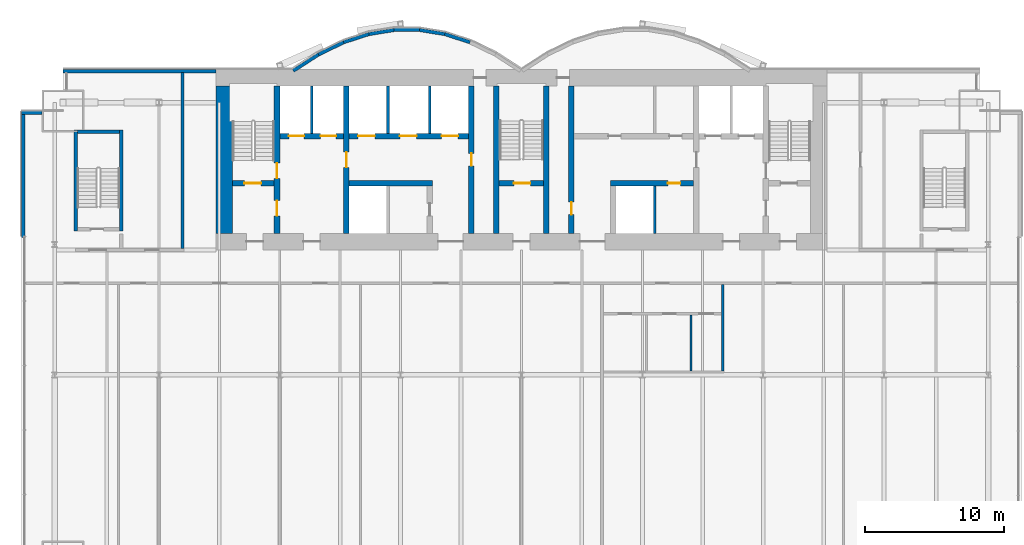
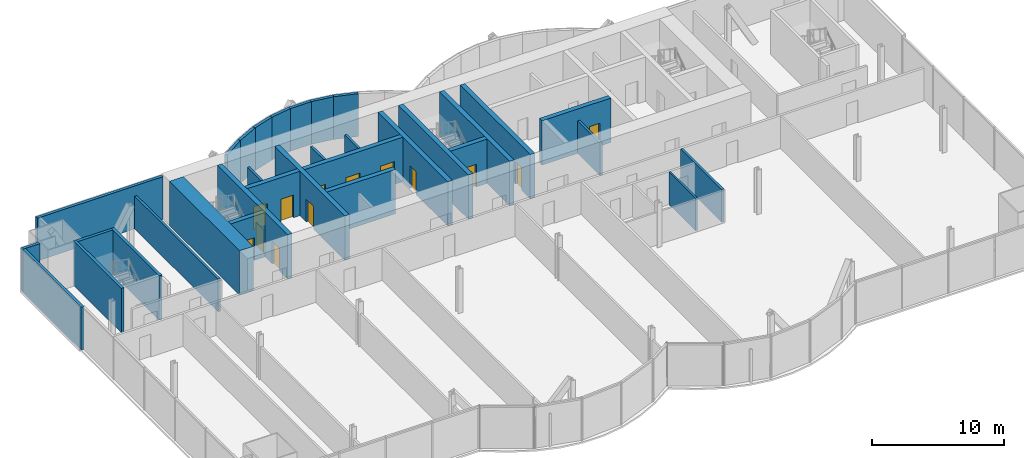
# One storey, part 16 of 21: 32 walls, 13 doors, 13 openings.
"""IFC4 building model written with IfcOpenShell, lengths in metres."""

from ifc_helpers import new_model, si_unit, direction, frame, frame_2d, origin, place, context, subcontext, project, spatial, rectangle, extrude, material, layer, layer_set, layer_usage, type_object, element, fill, save


model = new_model("IFC4")

# Units and contexts
model_context = context("Model", 3, precision=1e-05, world=origin(), true_north=direction((0.0, 1.0)))
body_context = subcontext(model_context, "Body", "Model", "MODEL_VIEW")
ifc_project = project(units=[si_unit("LENGTHUNIT", "METRE"), si_unit("AREAUNIT", "SQUARE_METRE"), si_unit("VOLUMEUNIT", "CUBIC_METRE"), si_unit("PLANEANGLEUNIT", "RADIAN"), si_unit("MASSUNIT", "GRAM", prefix="KILO")], contexts=[model_context])

# Site, building, storey
site_placement = place(None, origin())
site = spatial("IfcSite", under=ifc_project, at=site_placement, CompositionType="ELEMENT")
building_placement = place(site_placement, origin())
building = spatial("IfcBuilding", under=site, at=building_placement, Name="Bicima Exchange Tower", CompositionType="ELEMENT")
storey_placement = place(building_placement, frame((0.0, 0.0, 98.10009765625)))
storey = spatial("IfcBuildingStorey", under=building, at=storey_placement, Name="L20", CompositionType="ELEMENT", Elevation=98.10009765625)

# Walls
ifc_material_1 = material(Name="Gypsum board partition")
ifc_layer_1 = layer(ifc_material_1, 0.199951171875)
ifc_layer_set_1 = layer_set([ifc_layer_1], Name="Gypsum board partition")
wall_type_1 = type_object("IfcWallType", Name="Fire-rated gypsum partition 200 EI120", PredefinedType="PARTITIONING", material=ifc_layer_set_1)
for number, where, z_axis, x_axis, name in (
    (1, (-15.10009765625, -4.60009765625, 0.0), (0.0, 0.0, 1.0), (0.0, 1.0, 0.0), "partition wall 9"),
    (2, (-9.60009765625, -4.60009765625, 0.0), (0.0, 0.0, 1.0), (0.0, 1.0, 0.0), "partition wall 12"),
    (3, (-6.60009765625, -4.60009765625, 0.0), (0.0, 0.0, 1.0), (0.0, 1.0, 0.0), "partition wall 14"),
    (4, (9.60009765625, -11.800048828125, 0.0), (0.0, 0.0, 1.0), (0.0, 1.0, 0.0), "partition wall 20"),
):
    element("IfcWall", number, at=place(storey_placement, frame(where, z_axis=z_axis, x_axis=x_axis)), inside=storey, type_object=wall_type_1, Name=name, PredefinedType="PARTITIONING", context=body_context, shape_type="SweptSolid", body=[
        extrude(rectangle(XDim=3.400146484375, YDim=0.199951171875, at=frame_2d((1.7001953125, 0.0))), origin(), (0.0, 0.0, 1.0), 3.01806640625),
    ])
ifc_layer_2 = layer(ifc_material_1, 0.199951171875)
ifc_layer_set_2 = layer_set([ifc_layer_2], Name="Gypsum board partition")
wall_type_2 = type_object("IfcWallType", Name="Fire-rated gypsum partition 200 EI60", PredefinedType="PARTITIONING", material=ifc_layer_set_2)
wall_1_placement = place(storey_placement, frame((-24.39990234375, -12.89990234375, 0.0), z_axis=(0.0, 0.0, 1.0), x_axis=(0.0, 1.0, 0.0)))
element("IfcWall", 5, at=wall_1_placement, inside=storey, type_object=wall_type_2, Name="partition wall 16", PredefinedType="PARTITIONING", context=body_context, shape_type="SweptSolid", body=[
    extrude(rectangle(XDim=12.68994140625, YDim=0.199951171875, at=frame_2d((6.344970703125, 0.0))), origin(), (0.0, 0.0, 1.0), 3.01806640625),
])
wall_2_placement = place(storey_placement, frame((14.5, -21.72509765625, 0.0), z_axis=(0.0, 0.0, 1.0), x_axis=(0.0, 1.0, 0.0)))
element("IfcWall", 6, at=wall_2_placement, inside=storey, type_object=wall_type_2, Name="partition wall 25", PredefinedType="PARTITIONING", context=body_context, shape_type="SweptSolid", body=[
    extrude(rectangle(XDim=6.22509765625, YDim=0.199951171875, at=frame_2d((3.112548828125, 0.0))), origin(), (0.0, 0.0, 1.0), 3.01806640625),
])
ifc_layer_3 = layer(ifc_material_1, 0.14990234375)
ifc_layer_set_3 = layer_set([ifc_layer_3], Name="Gypsum board partition")
wall_type_3 = type_object("IfcWallType", Name="Gypsum partition 150", PredefinedType="PARTITIONING", material=ifc_layer_set_3)
wall_3_placement = place(storey_placement, frame((12.199951171875, -21.72509765625, 0.0), z_axis=(0.0, 0.0, 1.0), x_axis=(0.0, 1.0, 0.0)))
element("IfcWall", 7, at=wall_3_placement, inside=storey, type_object=wall_type_3, Name="partition wall 24", PredefinedType="PARTITIONING", context=body_context, shape_type="SweptSolid", body=[
    extrude(rectangle(XDim=4.025146484375, YDim=0.14990234375, at=frame_2d((2.0126953125, 0.0))), origin(), (0.0, 0.0, 1.0), 3.01806640625),
])
ifc_material_2 = material(Name="Concrete C60/75", Category="concrete")
ifc_layer_4 = layer(ifc_material_2, 1.199951171875)
ifc_layer_set_4 = layer_set([ifc_layer_4], Name="Concrete C60/75")
wall_type_4 = type_object("IfcWallType", Name="RC core wall 1200 C60/75", PredefinedType="SHEAR", material=ifc_layer_set_4)
wall_4_placement = place(storey_placement, frame((-21.39990234375, -11.800048828125, 0.0), z_axis=(0.0, 0.0, 1.0), x_axis=(0.0, 1.0, 0.0)))
element("IfcWall", 8, at=wall_4_placement, inside=storey, type_object=wall_type_4, Name="Core wall west", PredefinedType="SHEAR", context=body_context, shape_type="SweptSolid", body=[
    extrude(rectangle(XDim=10.60009765625, YDim=1.199951171875, at=frame_2d((5.300048828125, 0.0))), origin(), (0.0, 0.0, 1.0), 4.099853515625),
])

# Wall, opening, door
ifc_material_3 = material(Name="Concrete C50/60", Category="concrete")
ifc_layer_5 = layer(ifc_material_3, 0.39990234375)
ifc_layer_set_5 = layer_set([ifc_layer_5], Name="Concrete C50/60")
wall_type_5 = type_object("IfcWallType", Name="RC core wall 400 C50/60", PredefinedType="SHEAR", material=ifc_layer_set_5)
wall_5_placement = place(storey_placement, frame((-20.800048828125, -8.199951171875, 0.0), z_axis=(0.0, 0.0, 1.0), x_axis=(1.0, 0.0, 0.0)))
wall_5 = element("IfcWall", 9, at=wall_5_placement, inside=storey, type_object=wall_type_5, Name="stair wall 1", PredefinedType="SHEAR", context=body_context, shape_type="SweptSolid", body=[
    extrude(rectangle(XDim=3.0, YDim=0.39990234375, at=frame_2d((1.5, 0.0))), origin(), (0.0, 0.0, 1.0), 4.099853515625),
])
opening_1_placement = place(wall_5_placement, frame((0.85009765625, 0.0, 0.0)))
opening_1 = element("IfcOpeningElement", 10, at=opening_1_placement, cuts=wall_5, Name="Opening L20-C01", PredefinedType="OPENING", context=body_context, shape_type="SweptSolid", body=[
    extrude(rectangle(XDim=1.199951171875, YDim=2.10009765625, at=frame_2d((0.60009765625, 1.050048828125))), frame((0.0, 0.2119140625, 0.0), z_axis=(0.0, -1.0, 0.0), x_axis=(1.0, 0.0, 0.0)), (0.0, 0.0, 1.0), 0.423828125),
])
ifc_material_4 = material(Name="Steel fire door leaf", Category="steel")
door_type_1 = type_object("IfcDoorType", Name="Door 1200 swing FD60S", OperationType="SINGLE_SWING_LEFT", PredefinedType="DOOR", material=ifc_material_4)
door_1_placement = place(opening_1_placement, origin())
door_1 = element("IfcDoor", 11, at=door_1_placement, inside=storey, type_object=door_type_1, Name="Core door", OperationType="SINGLE_SWING_LEFT", OverallHeight=2.10009765625, OverallWidth=1.199951171875, PredefinedType="DOOR", context=body_context, shape_type="SweptSolid", body=[
    extrude(rectangle(XDim=1.199951171875, YDim=2.10009765625, at=frame_2d((0.60009765625, 1.050048828125))), frame((0.0, 0.02490234375, 0.0), z_axis=(0.0, -1.0, 0.0), x_axis=(1.0, 0.0, 0.0)), (0.0, 0.0, 1.0), 0.050048828125),
])
fill(opening_1, door_1)

wall_6_placement = place(storey_placement, frame((-1.60009765625, -8.199951171875, 0.0), z_axis=(0.0, 0.0, 1.0), x_axis=(1.0, 0.0, 0.0)))
wall_6 = element("IfcWall", 12, at=wall_6_placement, inside=storey, type_object=wall_type_5, Name="stair wall 3", PredefinedType="SHEAR", context=body_context, shape_type="SweptSolid", body=[
    extrude(rectangle(XDim=3.2001953125, YDim=0.39990234375, at=frame_2d((1.60009765625, 0.0))), origin(), (0.0, 0.0, 1.0), 4.099853515625),
])
opening_2_placement = place(wall_6_placement, frame((1.050048828125, 0.0, 0.0)))
opening_2 = element("IfcOpeningElement", 13, at=opening_2_placement, cuts=wall_6, Name="Opening L20-C03", PredefinedType="OPENING", context=body_context, shape_type="SweptSolid", body=[
    extrude(rectangle(XDim=1.199951171875, YDim=2.10009765625, at=frame_2d((0.60009765625, 1.050048828125))), frame((0.0, 0.2119140625, 0.0), z_axis=(0.0, -1.0, 0.0), x_axis=(1.0, 0.0, 0.0)), (0.0, 0.0, 1.0), 0.423828125),
])
door_2_placement = place(opening_2_placement, origin())
door_2 = element("IfcDoor", 14, at=door_2_placement, inside=storey, type_object=door_type_1, Name="Core door", OperationType="SINGLE_SWING_LEFT", OverallHeight=2.10009765625, OverallWidth=1.199951171875, PredefinedType="DOOR", context=body_context, shape_type="SweptSolid", body=[
    extrude(rectangle(XDim=1.199951171875, YDim=2.10009765625, at=frame_2d((0.60009765625, 1.050048828125))), frame((0.0, 0.02490234375, 0.0), z_axis=(0.0, -1.0, 0.0), x_axis=(1.0, 0.0, 0.0)), (0.0, 0.0, 1.0), 0.050048828125),
])
fill(opening_2, door_2)

# Wall, openings, doors
wall_7_placement = place(storey_placement, frame((-17.60009765625, -11.800048828125, 0.0), z_axis=(0.0, 0.0, 1.0), x_axis=(0.0, 1.0, 0.0)))
wall_7 = element("IfcWall", 15, at=wall_7_placement, inside=storey, type_object=wall_type_5, Name="stair wall 8", PredefinedType="SHEAR", context=body_context, shape_type="SweptSolid", body=[
    extrude(rectangle(XDim=10.60009765625, YDim=0.39990234375, at=frame_2d((5.300048828125, 0.0))), origin(), (0.0, 0.0, 1.0), 4.099853515625),
])
opening_3_placement = place(wall_7_placement, frame((1.25, 0.0, 0.0)))
opening_3 = element("IfcOpeningElement", 16, at=opening_3_placement, cuts=wall_7, Name="Opening L20-C02", PredefinedType="OPENING", context=body_context, shape_type="SweptSolid", body=[
    extrude(rectangle(XDim=1.10009765625, YDim=2.10009765625, at=frame_2d((0.550048828125, 1.050048828125))), frame((0.0, 0.2119140625, 0.0), z_axis=(0.0, -1.0, 0.0), x_axis=(1.0, 0.0, 0.0)), (0.0, 0.0, 1.0), 0.423828125),
])
opening_4_placement = place(wall_7_placement, frame((3.949951171875, 0.0, 0.0)))
opening_4 = element("IfcOpeningElement", 17, at=opening_4_placement, cuts=wall_7, Name="Opening L20-C06", PredefinedType="OPENING", context=body_context, shape_type="SweptSolid", body=[
    extrude(rectangle(XDim=1.10009765625, YDim=2.10009765625, at=frame_2d((0.550048828125, 1.050048828125))), frame((0.0, 0.2119140625, 0.0), z_axis=(0.0, -1.0, 0.0), x_axis=(1.0, 0.0, 0.0)), (0.0, 0.0, 1.0), 0.423828125),
])
door_type_2 = type_object("IfcDoorType", Name="Door 1100 swing FD60S", OperationType="SINGLE_SWING_LEFT", PredefinedType="DOOR", material=ifc_material_4)
door_3_placement = place(opening_3_placement, frame((1.10009765625, 0.0, 0.0), z_axis=(0.0, 0.0, 1.0), x_axis=(-1.0, 0.0, 0.0)))
door_3 = element("IfcDoor", 18, at=door_3_placement, inside=storey, type_object=door_type_2, Name="Core door", OperationType="SINGLE_SWING_LEFT", OverallHeight=2.10009765625, OverallWidth=1.10009765625, PredefinedType="DOOR", context=body_context, shape_type="SweptSolid", body=[
    extrude(rectangle(XDim=1.10009765625, YDim=2.10009765625, at=frame_2d((0.550048828125, 1.050048828125))), frame((0.0, 0.02490234375, 0.0), z_axis=(0.0, -1.0, 0.0), x_axis=(1.0, 0.0, 0.0)), (0.0, 0.0, 1.0), 0.050048828125),
])
fill(opening_3, door_3)
door_4_placement = place(opening_4_placement, frame((1.10009765625, 0.0, 0.0), z_axis=(0.0, 0.0, 1.0), x_axis=(-1.0, 0.0, 0.0)))
door_4 = element("IfcDoor", 19, at=door_4_placement, inside=storey, type_object=door_type_2, Name="Core door", OperationType="SINGLE_SWING_LEFT", OverallHeight=2.10009765625, OverallWidth=1.10009765625, PredefinedType="DOOR", context=body_context, shape_type="SweptSolid", body=[
    extrude(rectangle(XDim=1.10009765625, YDim=2.10009765625, at=frame_2d((0.550048828125, 1.050048828125))), frame((0.0, 0.02490234375, 0.0), z_axis=(0.0, -1.0, 0.0), x_axis=(1.0, 0.0, 0.0)), (0.0, 0.0, 1.0), 0.050048828125),
])
fill(opening_4, door_4)

# Walls
for number, where, z_axis, x_axis, name in (
    (20, (-1.800048828125, -11.800048828125, 0.0), (0.0, 0.0, 1.0), (0.0, 1.0, 0.0), "stair wall 16"),
    (21, (1.800048828125, -11.800048828125, 0.0), (0.0, 0.0, 1.0), (0.0, 1.0, 0.0), "stair wall 17"),
):
    element("IfcWall", number, at=place(storey_placement, frame(where, z_axis=z_axis, x_axis=x_axis)), inside=storey, type_object=wall_type_5, Name=name, PredefinedType="SHEAR", context=body_context, shape_type="SweptSolid", body=[
        extrude(rectangle(XDim=10.60009765625, YDim=0.39990234375, at=frame_2d((5.300048828125, 0.0))), origin(), (0.0, 0.0, 1.0), 4.099853515625),
    ])
ifc_layer_6 = layer(ifc_material_2, 0.39990234375)
ifc_layer_set_6 = layer_set([ifc_layer_6], Name="Concrete C60/75")
wall_type_6 = type_object("IfcWallType", Name="RC core wall 400 C60/75", PredefinedType="SHEAR", material=ifc_layer_set_6)
wall_8_placement = place(storey_placement, frame((-12.39990234375, -8.199951171875, 0.0), z_axis=(0.0, 0.0, 1.0), x_axis=(1.0, 0.0, 0.0)))
element("IfcWall", 22, at=wall_8_placement, inside=storey, type_object=wall_type_6, Name="shear wall 2", PredefinedType="SHEAR", context=body_context, shape_type="SweptSolid", body=[
    extrude(rectangle(XDim=6.0, YDim=0.39990234375, at=frame_2d((3.0, 0.0))), origin(), (0.0, 0.0, 1.0), 4.099853515625),
])

# Wall, opening, door
wall_9_placement = place(storey_placement, frame((6.39990234375, -8.199951171875, 0.0), z_axis=(0.0, 0.0, 1.0), x_axis=(1.0, 0.0, 0.0)))
wall_9 = element("IfcWall", 23, at=wall_9_placement, inside=storey, type_object=wall_type_6, Name="shear wall 4", PredefinedType="SHEAR", context=body_context, shape_type="SweptSolid", body=[
    extrude(rectangle(XDim=6.0, YDim=0.39990234375, at=frame_2d((3.0, 0.0))), origin(), (0.0, 0.0, 1.0), 4.099853515625),
])
opening_5_placement = place(wall_9_placement, frame((4.14990234375, 0.0, 0.0)))
opening_5 = element("IfcOpeningElement", 24, at=opening_5_placement, cuts=wall_9, Name="Opening L20-C15", PredefinedType="OPENING", context=body_context, shape_type="SweptSolid", body=[
    extrude(rectangle(XDim=0.89990234375, YDim=2.10009765625, at=frame_2d((0.449951171875, 1.050048828125))), frame((0.0, 0.2119140625, 0.0), z_axis=(0.0, -1.0, 0.0), x_axis=(1.0, 0.0, 0.0)), (0.0, 0.0, 1.0), 0.423828125),
])
door_type_3 = type_object("IfcDoorType", Name="Door 900 swing FD30S", OperationType="SINGLE_SWING_LEFT", PredefinedType="DOOR", material=ifc_material_4)
door_5_placement = place(opening_5_placement, frame((0.89990234375, 0.0, 0.0), z_axis=(0.0, 0.0, 1.0), x_axis=(-1.0, 0.0, 0.0)))
door_5 = element("IfcDoor", 25, at=door_5_placement, inside=storey, type_object=door_type_3, Name="Core door", OperationType="SINGLE_SWING_RIGHT", OverallHeight=2.10009765625, OverallWidth=0.89990234375, PredefinedType="DOOR", context=body_context, shape_type="SweptSolid", body=[
    extrude(rectangle(XDim=0.89990234375, YDim=2.10009765625, at=frame_2d((0.449951171875, 1.050048828125))), frame((0.0, 0.02490234375, 0.0), z_axis=(0.0, -1.0, 0.0), x_axis=(1.0, 0.0, 0.0)), (0.0, 0.0, 1.0), 0.050048828125),
])
fill(opening_5, door_5)

# Wall, openings, doors
wall_10_placement = place(storey_placement, frame((-17.39990234375, -4.800048828125, 0.0), z_axis=(0.0, 0.0, 1.0), x_axis=(1.0, 0.0, 0.0)))
wall_10 = element("IfcWall", 26, at=wall_10_placement, inside=storey, type_object=wall_type_6, Name="shear wall 6", PredefinedType="SHEAR", context=body_context, shape_type="SweptSolid", body=[
    extrude(rectangle(XDim=13.599853515625, YDim=0.39990234375, at=frame_2d((6.7998046875, 0.0))), origin(), (0.0, 0.0, 1.0), 4.099853515625),
])
opening_6_placement = place(wall_10_placement, frame((0.64990234375, 0.0, 0.0)))
opening_6 = element("IfcOpeningElement", 27, at=opening_6_placement, cuts=wall_10, Name="Opening LD-FF1-L20", PredefinedType="OPENING", context=body_context, shape_type="SweptSolid", body=[
    extrude(rectangle(XDim=1.10009765625, YDim=2.10009765625, at=frame_2d((0.550048828125, 1.050048828125))), frame((0.0, 0.2119140625, 0.0), z_axis=(0.0, -1.0, 0.0), x_axis=(1.0, 0.0, 0.0)), (0.0, 0.0, 1.0), 0.423828125),
])
opening_7_placement = place(wall_10_placement, frame((2.949951171875, 0.0, 0.0)))
opening_7 = element("IfcOpeningElement", 28, at=opening_7_placement, cuts=wall_10, Name="Opening LD-FF3-L20", PredefinedType="OPENING", context=body_context, shape_type="SweptSolid", body=[
    extrude(rectangle(XDim=1.10009765625, YDim=2.10009765625, at=frame_2d((0.550048828125, 1.050048828125))), frame((0.0, 0.2119140625, 0.0), z_axis=(0.0, -1.0, 0.0), x_axis=(1.0, 0.0, 0.0)), (0.0, 0.0, 1.0), 0.423828125),
])
opening_8_placement = place(wall_10_placement, frame((5.64990234375, 0.0, 0.0)))
opening_8 = element("IfcOpeningElement", 29, at=opening_8_placement, cuts=wall_10, Name="Opening LD-LB1-L20", PredefinedType="OPENING", context=body_context, shape_type="SweptSolid", body=[
    extrude(rectangle(XDim=1.199951171875, YDim=2.10009765625, at=frame_2d((0.60009765625, 1.050048828125))), frame((0.0, 0.2119140625, 0.0), z_axis=(0.0, -1.0, 0.0), x_axis=(1.0, 0.0, 0.0)), (0.0, 0.0, 1.0), 0.423828125),
])
opening_9_placement = place(wall_10_placement, frame((8.64990234375, 0.0, 0.0)))
opening_9 = element("IfcOpeningElement", 30, at=opening_9_placement, cuts=wall_10, Name="Opening LD-LB2-L20", PredefinedType="OPENING", context=body_context, shape_type="SweptSolid", body=[
    extrude(rectangle(XDim=1.199951171875, YDim=2.10009765625, at=frame_2d((0.60009765625, 1.050048828125))), frame((0.0, 0.2119140625, 0.0), z_axis=(0.0, -1.0, 0.0), x_axis=(1.0, 0.0, 0.0)), (0.0, 0.0, 1.0), 0.423828125),
])
opening_10_placement = place(wall_10_placement, frame((11.64990234375, 0.0, 0.0)))
opening_10 = element("IfcOpeningElement", 31, at=opening_10_placement, cuts=wall_10, Name="Opening LD-LB3-L20", PredefinedType="OPENING", context=body_context, shape_type="SweptSolid", body=[
    extrude(rectangle(XDim=1.199951171875, YDim=2.10009765625, at=frame_2d((0.60009765625, 1.050048828125))), frame((0.0, 0.2119140625, 0.0), z_axis=(0.0, -1.0, 0.0), x_axis=(1.0, 0.0, 0.0)), (0.0, 0.0, 1.0), 0.423828125),
])
ifc_material_5 = material(Name="Stainless steel", Category="steel")
door_type_4 = type_object("IfcDoorType", Name="Lift landing door 1100 sliding", OperationType="DOUBLE_DOOR_SLIDING", PredefinedType="DOOR", material=ifc_material_5)
door_6_placement = place(opening_6_placement, origin())
door_6 = element("IfcDoor", 32, at=door_6_placement, inside=storey, type_object=door_type_4, Name="Lift landing door FF1", OperationType="DOUBLE_DOOR_SLIDING", OverallHeight=2.10009765625, OverallWidth=1.10009765625, PredefinedType="DOOR", context=body_context, shape_type="SweptSolid", body=[
    extrude(rectangle(XDim=1.10009765625, YDim=2.10009765625, at=frame_2d((0.550048828125, 1.050048828125))), frame((0.0, 0.02490234375, 0.0), z_axis=(0.0, -1.0, 0.0), x_axis=(1.0, 0.0, 0.0)), (0.0, 0.0, 1.0), 0.050048828125),
])
fill(opening_6, door_6)
door_7_placement = place(opening_7_placement, origin())
door_7 = element("IfcDoor", 33, at=door_7_placement, inside=storey, type_object=door_type_4, Name="Lift landing door FF3", OperationType="DOUBLE_DOOR_SLIDING", OverallHeight=2.10009765625, OverallWidth=1.10009765625, PredefinedType="DOOR", context=body_context, shape_type="SweptSolid", body=[
    extrude(rectangle(XDim=1.10009765625, YDim=2.10009765625, at=frame_2d((0.550048828125, 1.050048828125))), frame((0.0, 0.02490234375, 0.0), z_axis=(0.0, -1.0, 0.0), x_axis=(1.0, 0.0, 0.0)), (0.0, 0.0, 1.0), 0.050048828125),
])
fill(opening_7, door_7)
door_type_5 = type_object("IfcDoorType", Name="Lift landing door 1200 sliding", OperationType="DOUBLE_DOOR_SLIDING", PredefinedType="DOOR", material=ifc_material_5)
door_8_placement = place(opening_8_placement, origin())
door_8 = element("IfcDoor", 34, at=door_8_placement, inside=storey, type_object=door_type_5, Name="Lift landing door LB1", OperationType="DOUBLE_DOOR_SLIDING", OverallHeight=2.10009765625, OverallWidth=1.199951171875, PredefinedType="DOOR", context=body_context, shape_type="SweptSolid", body=[
    extrude(rectangle(XDim=1.199951171875, YDim=2.10009765625, at=frame_2d((0.60009765625, 1.050048828125))), frame((0.0, 0.02490234375, 0.0), z_axis=(0.0, -1.0, 0.0), x_axis=(1.0, 0.0, 0.0)), (0.0, 0.0, 1.0), 0.050048828125),
])
fill(opening_8, door_8)
door_9_placement = place(opening_9_placement, origin())
door_9 = element("IfcDoor", 35, at=door_9_placement, inside=storey, type_object=door_type_5, Name="Lift landing door LB2", OperationType="DOUBLE_DOOR_SLIDING", OverallHeight=2.10009765625, OverallWidth=1.199951171875, PredefinedType="DOOR", context=body_context, shape_type="SweptSolid", body=[
    extrude(rectangle(XDim=1.199951171875, YDim=2.10009765625, at=frame_2d((0.60009765625, 1.050048828125))), frame((0.0, 0.02490234375, 0.0), z_axis=(0.0, -1.0, 0.0), x_axis=(1.0, 0.0, 0.0)), (0.0, 0.0, 1.0), 0.050048828125),
])
fill(opening_9, door_9)
door_10_placement = place(opening_10_placement, origin())
door_10 = element("IfcDoor", 36, at=door_10_placement, inside=storey, type_object=door_type_5, Name="Lift landing door LB3", OperationType="DOUBLE_DOOR_SLIDING", OverallHeight=2.10009765625, OverallWidth=1.199951171875, PredefinedType="DOOR", context=body_context, shape_type="SweptSolid", body=[
    extrude(rectangle(XDim=1.199951171875, YDim=2.10009765625, at=frame_2d((0.60009765625, 1.050048828125))), frame((0.0, 0.02490234375, 0.0), z_axis=(0.0, -1.0, 0.0), x_axis=(1.0, 0.0, 0.0)), (0.0, 0.0, 1.0), 0.050048828125),
])
fill(opening_10, door_10)

# Wall, opening, door
wall_11_placement = place(storey_placement, frame((-12.60009765625, -11.800048828125, 0.0), z_axis=(0.0, 0.0, 1.0), x_axis=(0.0, 1.0, 0.0)))
wall_11 = element("IfcWall", 37, at=wall_11_placement, inside=storey, type_object=wall_type_6, Name="shear wall 10", PredefinedType="SHEAR", context=body_context, shape_type="SweptSolid", body=[
    extrude(rectangle(XDim=10.60009765625, YDim=0.39990234375, at=frame_2d((5.300048828125, 0.0))), origin(), (0.0, 0.0, 1.0), 4.099853515625),
])
opening_11_placement = place(wall_11_placement, frame((4.75, 0.0, 0.0)))
opening_11 = element("IfcOpeningElement", 38, at=opening_11_placement, cuts=wall_11, Name="Opening L20-C07", PredefinedType="OPENING", context=body_context, shape_type="SweptSolid", body=[
    extrude(rectangle(XDim=1.10009765625, YDim=2.10009765625, at=frame_2d((0.550048828125, 1.050048828125))), frame((0.0, 0.2119140625, 0.0), z_axis=(0.0, -1.0, 0.0), x_axis=(1.0, 0.0, 0.0)), (0.0, 0.0, 1.0), 0.423828125),
])
door_11_placement = place(opening_11_placement, origin())
door_11 = element("IfcDoor", 39, at=door_11_placement, inside=storey, type_object=door_type_2, Name="Core door", OperationType="SINGLE_SWING_LEFT", OverallHeight=2.10009765625, OverallWidth=1.10009765625, PredefinedType="DOOR", context=body_context, shape_type="SweptSolid", body=[
    extrude(rectangle(XDim=1.10009765625, YDim=2.10009765625, at=frame_2d((0.550048828125, 1.050048828125))), frame((0.0, 0.02490234375, 0.0), z_axis=(0.0, -1.0, 0.0), x_axis=(1.0, 0.0, 0.0)), (0.0, 0.0, 1.0), 0.050048828125),
])
fill(opening_11, door_11)

wall_12_placement = place(storey_placement, frame((-3.60009765625, -11.800048828125, 0.0), z_axis=(0.0, 0.0, 1.0), x_axis=(0.0, 1.0, 0.0)))
wall_12 = element("IfcWall", 40, at=wall_12_placement, inside=storey, type_object=wall_type_6, Name="shear wall 15", PredefinedType="SHEAR", context=body_context, shape_type="SweptSolid", body=[
    extrude(rectangle(XDim=10.60009765625, YDim=0.39990234375, at=frame_2d((5.300048828125, 0.0))), origin(), (0.0, 0.0, 1.0), 4.099853515625),
])
opening_12_placement = place(wall_12_placement, frame((4.85009765625, 0.0, 0.0)))
opening_12 = element("IfcOpeningElement", 41, at=opening_12_placement, cuts=wall_12, Name="Opening L20-C10", PredefinedType="OPENING", context=body_context, shape_type="SweptSolid", body=[
    extrude(rectangle(XDim=0.89990234375, YDim=2.10009765625, at=frame_2d((0.449951171875, 1.050048828125))), frame((0.0, 0.2119140625, 0.0), z_axis=(0.0, -1.0, 0.0), x_axis=(1.0, 0.0, 0.0)), (0.0, 0.0, 1.0), 0.423828125),
])
door_12_placement = place(opening_12_placement, frame((0.89990234375, 0.0, 0.0), z_axis=(0.0, 0.0, 1.0), x_axis=(-1.0, 0.0, 0.0)))
door_12 = element("IfcDoor", 42, at=door_12_placement, inside=storey, type_object=door_type_3, Name="Core door", OperationType="SINGLE_SWING_LEFT", OverallHeight=2.10009765625, OverallWidth=0.89990234375, PredefinedType="DOOR", context=body_context, shape_type="SweptSolid", body=[
    extrude(rectangle(XDim=0.89990234375, YDim=2.10009765625, at=frame_2d((0.449951171875, 1.050048828125))), frame((0.0, 0.02490234375, 0.0), z_axis=(0.0, -1.0, 0.0), x_axis=(1.0, 0.0, 0.0)), (0.0, 0.0, 1.0), 0.050048828125),
])
fill(opening_12, door_12)

wall_13_placement = place(storey_placement, frame((3.60009765625, -11.800048828125, 0.0), z_axis=(0.0, 0.0, 1.0), x_axis=(0.0, 1.0, 0.0)))
wall_13 = element("IfcWall", 43, at=wall_13_placement, inside=storey, type_object=wall_type_6, Name="shear wall 18", PredefinedType="SHEAR", context=body_context, shape_type="SweptSolid", body=[
    extrude(rectangle(XDim=10.60009765625, YDim=0.39990234375, at=frame_2d((5.300048828125, 0.0))), origin(), (0.0, 0.0, 1.0), 4.099853515625),
])
opening_13_placement = place(wall_13_placement, frame((1.35009765625, 0.0, 0.0)))
opening_13 = element("IfcOpeningElement", 44, at=opening_13_placement, cuts=wall_13, Name="Opening L20-C11", PredefinedType="OPENING", context=body_context, shape_type="SweptSolid", body=[
    extrude(rectangle(XDim=0.89990234375, YDim=2.10009765625, at=frame_2d((0.449951171875, 1.050048828125))), frame((0.0, 0.2119140625, 0.0), z_axis=(0.0, -1.0, 0.0), x_axis=(1.0, 0.0, 0.0)), (0.0, 0.0, 1.0), 0.423828125),
])
door_13_placement = place(opening_13_placement, origin())
door_13 = element("IfcDoor", 45, at=door_13_placement, inside=storey, type_object=door_type_3, Name="Core door", OperationType="SINGLE_SWING_LEFT", OverallHeight=2.10009765625, OverallWidth=0.89990234375, PredefinedType="DOOR", context=body_context, shape_type="SweptSolid", body=[
    extrude(rectangle(XDim=0.89990234375, YDim=2.10009765625, at=frame_2d((0.449951171875, 1.050048828125))), frame((0.0, 0.02490234375, 0.0), z_axis=(0.0, -1.0, 0.0), x_axis=(1.0, 0.0, 0.0)), (0.0, 0.0, 1.0), 0.050048828125),
])
fill(opening_13, door_13)

# Walls
ifc_layer_7 = layer(ifc_material_3, 0.25)
ifc_layer_set_7 = layer_set([ifc_layer_7], Name="Concrete C50/60")
wall_type_7 = type_object("IfcWallType", Name="RC stair enclosure wall 250 C50/60", PredefinedType="SHEAR", material=ifc_layer_set_7)
for number, where, z_axis, x_axis, name in (
    (46, (-32.10009765625, -11.625, 0.0), (0.0, 0.0, 1.0), (0.0, 1.0, 0.0), "West end exit stair wall W"),
    (47, (-28.800048828125, -11.625, 0.0), (0.0, 0.0, 1.0), (0.0, 1.0, 0.0), "West end exit stair wall E"),
):
    element("IfcWall", number, at=place(storey_placement, frame(where, z_axis=z_axis, x_axis=x_axis)), inside=storey, type_object=wall_type_7, Name=name, PredefinedType="SHEAR", context=body_context, shape_type="SweptSolid", body=[
        extrude(rectangle(XDim=7.25, YDim=0.25, at=frame_2d((3.625, 0.0))), origin(), (0.0, 0.0, 1.0), 4.099853515625),
    ])
wall_14_placement = place(storey_placement, frame((-31.97509765625, -4.5, 0.0), z_axis=(0.0, 0.0, 1.0), x_axis=(1.0, 0.0, 0.0)))
element("IfcWall", 48, at=wall_14_placement, inside=storey, type_object=wall_type_7, Name="West end exit stair wall N", PredefinedType="SHEAR", context=body_context, shape_type="SweptSolid", body=[
    extrude(rectangle(XDim=3.050048828125, YDim=0.25, at=frame_2d((1.52490234375, 0.0))), origin(), (0.0, 0.0, 1.0), 4.099853515625),
])
ifc_material_6 = material(Name="Concrete C40/50", Category="concrete")
ifc_layer_8 = layer(ifc_material_6, 0.25)
ifc_layer_set_8 = layer_set([ifc_layer_8], Name="Concrete C40/50")
ifc_layer_usage = layer_usage(ifc_layer_set_8, "AXIS2", "POSITIVE", -0.125)
wall_type_8 = type_object("IfcWallType", Name="Rear backup wall 250", PredefinedType="STANDARD", material=ifc_layer_set_8)
wall_15_placement = place(storey_placement, frame((-3.705078125, 1.955078125, 0.0), z_axis=(0.0, 0.0, 1.0), x_axis=(-0.951495806175, 0.307661714928, 0.0)))
element("IfcWall", 49, at=wall_15_placement, inside=storey, type_object=wall_type_8, material=ifc_layer_usage, Name="Rear backup wall L20 13", PredefinedType="STANDARD", context=body_context, shape_type="SweptSolid", body=[
    extrude(rectangle(XDim=1.9267578125, YDim=0.25, at=frame_2d((0.96337890625, 0.0))), origin(), (0.0, 0.0, 1.0), 3.949951171875),
])
wall_16_placement = place(storey_placement, frame((-5.52001953125, 2.543212890625, 0.0), z_axis=(0.0, 0.0, 1.0), x_axis=(-0.987181718931, 0.159600293885, 0.0)))
element("IfcWall", 50, at=wall_16_placement, inside=storey, type_object=wall_type_8, material=ifc_layer_usage, Name="Rear backup wall L20 14", PredefinedType="STANDARD", context=body_context, shape_type="SweptSolid", body=[
    extrude(rectangle(XDim=1.857177734375, YDim=0.25, at=frame_2d((0.9287109375, 0.0))), origin(), (0.0, 0.0, 1.0), 3.949951171875),
])
wall_17_placement = place(storey_placement, frame((-7.333251953125, 2.837890625, 0.0), z_axis=(0.0, 0.0, 1.0), x_axis=(-1.0, 0.0, 0.0)))
element("IfcWall", 51, at=wall_17_placement, inside=storey, type_object=wall_type_8, material=ifc_layer_usage, Name="Rear backup wall L20 15", PredefinedType="STANDARD", context=body_context, shape_type="SweptSolid", body=[
    extrude(rectangle(XDim=1.83349609375, YDim=0.25, at=frame_2d((0.916748046875, 0.0))), origin(), (0.0, 0.0, 1.0), 3.949951171875),
])
wall_18_placement = place(storey_placement, frame((-9.146728515625, 2.839599609375, 0.0), z_axis=(0.0, 0.0, 1.0), x_axis=(-0.987181718931, -0.159600293885, 0.0)))
element("IfcWall", 52, at=wall_18_placement, inside=storey, type_object=wall_type_8, material=ifc_layer_usage, Name="Rear backup wall L20 16", PredefinedType="STANDARD", context=body_context, shape_type="SweptSolid", body=[
    extrude(rectangle(XDim=1.857177734375, YDim=0.25, at=frame_2d((0.9287109375, 0.0))), origin(), (0.0, 0.0, 1.0), 3.949951171875),
])
wall_19_placement = place(storey_placement, frame((-10.961669921875, 2.5478515625, 0.0), z_axis=(0.0, 0.0, 1.0), x_axis=(-0.951495806175, -0.307661714928, 0.0)))
element("IfcWall", 53, at=wall_19_placement, inside=storey, type_object=wall_type_8, material=ifc_layer_usage, Name="Rear backup wall L20 17", PredefinedType="STANDARD", context=body_context, shape_type="SweptSolid", body=[
    extrude(rectangle(XDim=1.9267578125, YDim=0.25, at=frame_2d((0.96337890625, 0.0))), origin(), (0.0, 0.0, 1.0), 3.949951171875),
])
wall_20_placement = place(storey_placement, frame((-12.77880859375, 1.961669921875, 0.0), z_axis=(0.0, 0.0, 1.0), x_axis=(-0.89982408427, -0.436252928206, 0.0)))
element("IfcWall", 54, at=wall_20_placement, inside=storey, type_object=wall_type_8, material=ifc_layer_usage, Name="Rear backup wall L20 18", PredefinedType="STANDARD", context=body_context, shape_type="SweptSolid", body=[
    extrude(rectangle(XDim=2.03759765625, YDim=0.25, at=frame_2d((1.018798828125, 0.0))), origin(), (0.0, 0.0, 1.0), 3.949951171875),
])
wall_21_placement = place(storey_placement, frame((-14.598876953125, 1.080078125, 0.0), z_axis=(0.0, 0.0, 1.0), x_axis=(-0.83981312244, -0.542875602121, 0.0)))
element("IfcWall", 55, at=wall_21_placement, inside=storey, type_object=wall_type_8, material=ifc_layer_usage, Name="Rear backup wall L20 19", PredefinedType="STANDARD", context=body_context, shape_type="SweptSolid", body=[
    extrude(rectangle(XDim=2.182861328125, YDim=0.25, at=frame_2d((1.09130859375, 0.0))), origin(), (0.0, 0.0, 1.0), 3.949951171875),
])
wall_22_placement = place(storey_placement, frame((-22.0, -0.125, 0.0), z_axis=(0.0, 0.0, 1.0), x_axis=(-1.0, 0.0, 0.0)))
element("IfcWall", 56, at=wall_22_placement, inside=storey, type_object=wall_type_8, material=ifc_layer_usage, Name="Rear backup wall L20 20", PredefinedType="STANDARD", context=body_context, shape_type="SweptSolid", body=[
    extrude(rectangle(XDim=11.0, YDim=0.25, at=frame_2d((5.5, 0.0))), origin(), (0.0, 0.0, 1.0), 3.949951171875),
])
wall_23_placement = place(storey_placement, frame((-34.5, -3.125, 0.0), z_axis=(0.0, 0.0, 1.0), x_axis=(-1.0, 0.0, 0.0)))
element("IfcWall", 57, at=wall_23_placement, inside=storey, type_object=wall_type_8, material=ifc_layer_usage, Name="Rear backup wall L20 22", PredefinedType="STANDARD", context=body_context, shape_type="SweptSolid", body=[
    extrude(rectangle(XDim=1.5, YDim=0.25, at=frame_2d((0.75, 0.0))), origin(), (0.0, 0.0, 1.0), 3.949951171875),
])
wall_24_placement = place(storey_placement, frame((-35.875, -3.0, 0.0), z_axis=(0.0, 0.0, 1.0), x_axis=(0.0, -1.0, 0.0)))
element("IfcWall", 58, at=wall_24_placement, inside=storey, type_object=wall_type_8, material=ifc_layer_usage, Name="Rear backup wall L20 23", PredefinedType="STANDARD", context=body_context, shape_type="SweptSolid", body=[
    extrude(rectangle(XDim=9.090087890625, YDim=0.25, at=frame_2d((4.544921875, 0.0))), origin(), (0.0, 0.0, 1.0), 3.949951171875),
])

save(model, "model.ifc")
